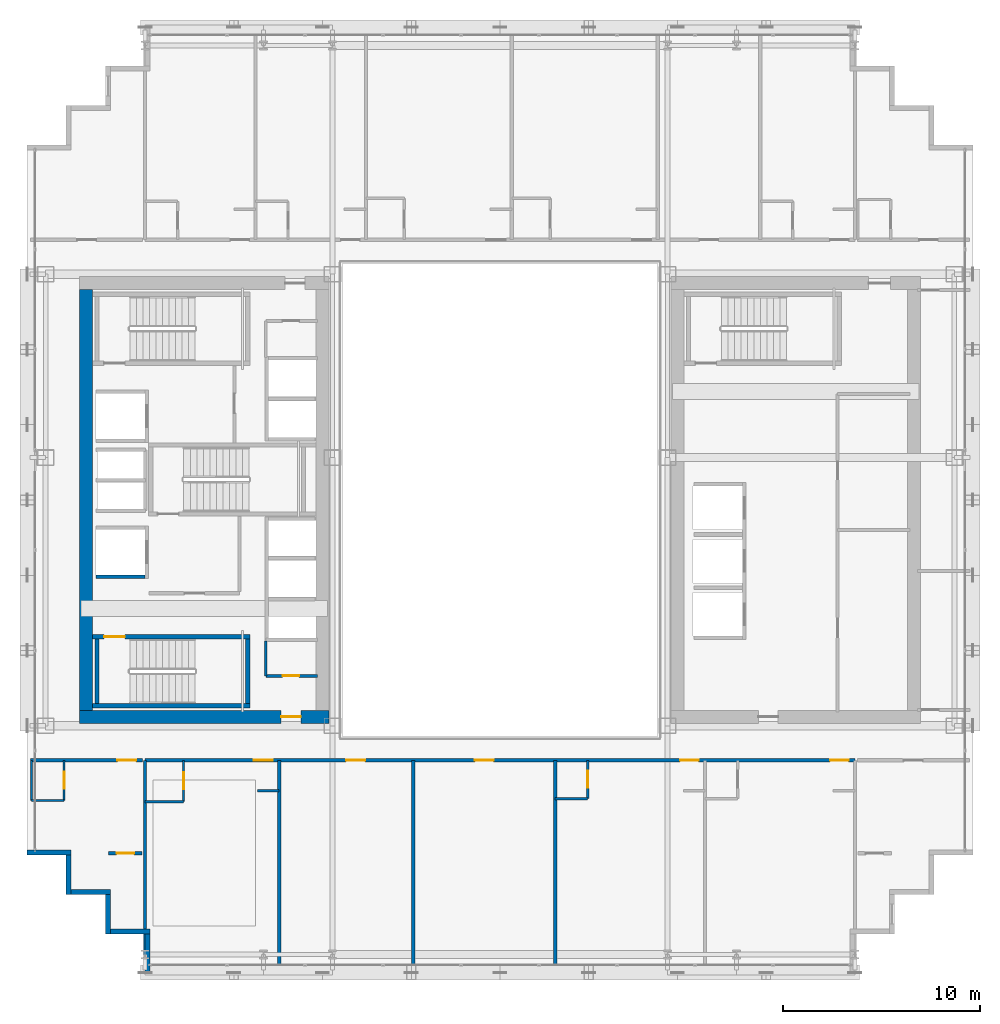
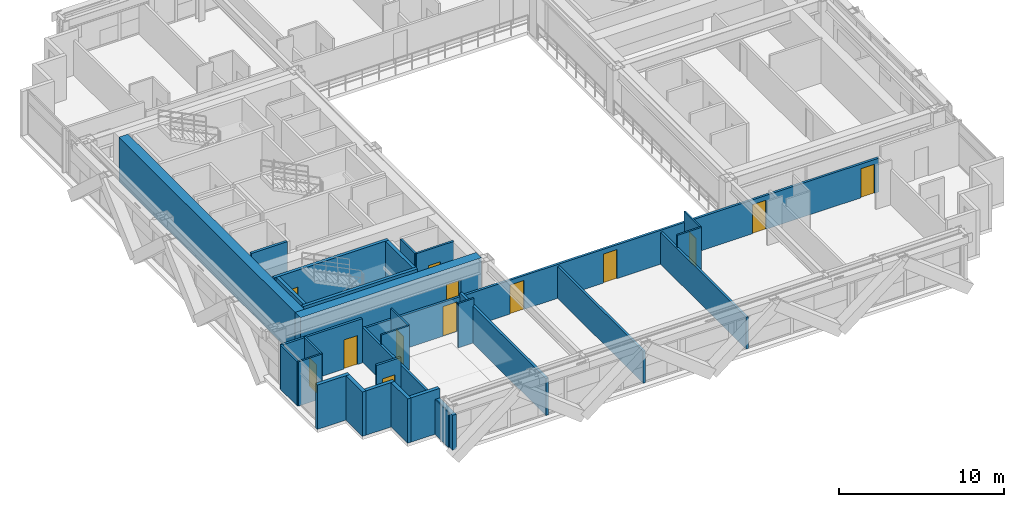
# One storey, part 28 of 36: 30 walls, 13 doors, 13 openings.
"""IFC4 building model written with IfcOpenShell, lengths in metres."""

from ifc_helpers import new_model, si_unit, direction, frame, frame_2d, origin, place, context, subcontext, project, spatial, rectangle, extrude, source, transform, mapped, material, layer, layer_set, type_object, element, fill, save


model = new_model("IFC4")

# Units and contexts
model_context = context("Model", 3, precision=1e-05, world=origin(), true_north=direction((0.0, 1.0)))
body_context = subcontext(model_context, "Body", "Model", "MODEL_VIEW")
ifc_project = project(units=[si_unit("LENGTHUNIT", "METRE"), si_unit("AREAUNIT", "SQUARE_METRE"), si_unit("VOLUMEUNIT", "CUBIC_METRE"), si_unit("PLANEANGLEUNIT", "RADIAN"), si_unit("MASSUNIT", "GRAM", prefix="KILO")], contexts=[model_context])

# Site, building, storey
site_placement = place(None, origin())
site = spatial("IfcSite", under=ifc_project, at=site_placement, CompositionType="ELEMENT")
building_placement = place(site_placement, origin())
building = spatial("IfcBuilding", under=site, at=building_placement, Name="Ocotamira Hotel", CompositionType="ELEMENT")
storey_placement = place(building_placement, frame((0.0, 0.0, 147.60009765625)))
storey = spatial("IfcBuildingStorey", under=building, at=storey_placement, Name="L37", CompositionType="ELEMENT", Elevation=147.60009765625)

# Wall, opening, door
ifc_material_1 = material(Name="Concrete C60/75", Category="concrete")
ifc_layer_1 = layer(ifc_material_1, 0.64990234375)
ifc_layer_set_1 = layer_set([ifc_layer_1], Name="Concrete C60/75")
wall_type_1 = type_object("IfcWallType", Name="WL-CORE-650", PredefinedType="SHEAR", material=ifc_layer_set_1)
wall_1_placement = place(storey_placement, frame((10.675048828125, 15.0, 0.0), z_axis=(0.0, 0.0, 1.0), x_axis=(1.0, 0.0, 0.0)))
wall_1 = element("IfcWall", 1, at=wall_1_placement, inside=storey, type_object=wall_type_1, Name="L37 Shear Core Wall WCORE-S", PredefinedType="SHEAR", context=body_context, shape_type="SweptSolid", body=[
    extrude(rectangle(XDim=12.64990234375, YDim=0.64990234375, at=frame_2d((6.324951171875, 0.0))), origin(), (0.0, 0.0, 1.0), 3.27978515625),
])
opening_1_placement = place(wall_1_placement, frame((10.22509765625, 0.0, 0.0)))
opening_1 = element("IfcOpeningElement", 2, at=opening_1_placement, cuts=wall_1, Name="Opening D-FR2", PredefinedType="OPENING", context=body_context, shape_type="SweptSolid", body=[
    extrude(rectangle(XDim=1.0, YDim=2.14990234375, at=frame_2d((0.5, 1.074951171875))), frame((0.0, 0.3349609375, 0.0), z_axis=(0.0, -1.0, 0.0), x_axis=(1.0, 0.0, 0.0)), (0.0, 0.0, 1.0), 0.669921875),
])
ifc_material_2 = material(Name="Fire-rated acoustic timber-veneer door", Category="wood")
door_type_1 = type_object("IfcDoorType", Name="DR-FIRE-1000", OperationType="NOTDEFINED", PredefinedType="DOOR", material=ifc_material_2)
shared_shape_1 = source(origin(), body_context, "Body", "SweptSolid", [
    extrude(rectangle(XDim=1.0, YDim=2.14990234375, at=frame_2d((0.5, 1.074951171875))), frame((0.0, 0.02490234375, 0.0), z_axis=(0.0, -1.0, 0.0), x_axis=(1.0, 0.0, 0.0)), (0.0, 0.0, 1.0), 0.050048828125),
])
door_1_placement = place(opening_1_placement, origin())
door_1 = element("IfcDoor", 3, at=door_1_placement, inside=storey, type_object=door_type_1, Name="L37 Door ID-L37-WLOB-S-D [ID-L37-WLOB-S-D]", OperationType="SINGLE_SWING_LEFT", OverallHeight=2.14990234375, OverallWidth=1.0, PredefinedType="DOOR", context=body_context, shape_type="MappedRepresentation", body=[
    mapped(shared_shape_1, transform((0.0, 0.0, 0.0), scale=1.0)),
])
fill(opening_1, door_1)

# Walls
wall_2_placement = place(storey_placement, frame((11.0, 15.324951171875, 0.0), z_axis=(0.0, 0.0, 1.0), x_axis=(0.0, 1.0, 0.0)))
element("IfcWall", 4, at=wall_2_placement, inside=storey, type_object=wall_type_1, Name="L37 Shear Core Wall WCORE-W", PredefinedType="SHEAR", context=body_context, shape_type="SweptSolid", body=[
    extrude(rectangle(XDim=21.35009765625, YDim=0.64990234375, at=frame_2d((10.675048828125, 0.0))), origin(), (0.0, 0.0, 1.0), 3.27978515625),
])
ifc_material_3 = material(Name="Precast concrete C45/55", Category="concrete")
ifc_layer_2 = layer(ifc_material_3, 0.25)
ifc_layer_set_2 = layer_set([ifc_layer_2], Name="Precast concrete C45/55")
wall_type_2 = type_object("IfcWallType", Name="WL-EXT-SER-250", PredefinedType="SOLIDWALL", material=ifc_layer_set_2)
wall_3_placement = place(storey_placement, frame((8.0, 8.125, 0.0), z_axis=(0.0, 0.0, 1.0), x_axis=(1.0, 0.0, 0.0)))
element("IfcWall", 5, at=wall_3_placement, inside=storey, type_object=wall_type_2, Name="L37 Serrated Corner Wall 19", PredefinedType="SOLIDWALL", context=body_context, shape_type="SweptSolid", body=[
    extrude(rectangle(XDim=2.25, YDim=0.25, at=frame_2d((1.125, 0.0))), origin(), (0.0, 0.0, 1.0), 3.27978515625),
])
for number, where, z_axis, x_axis, name in (
    (6, (10.125, 8.0, 0.0), (0.0, 0.0, 1.0), (0.0, -1.0, 0.0), "L37 Serrated Corner Wall 20"),
    (7, (10.25, 6.125, 0.0), (0.0, 0.0, 1.0), (1.0, 0.0, 0.0), "L37 Serrated Corner Wall 21"),
    (8, (12.125, 6.0, 0.0), (0.0, 0.0, 1.0), (0.0, -1.0, 0.0), "L37 Serrated Corner Wall 22"),
    (9, (12.25, 4.125, 0.0), (0.0, 0.0, 1.0), (1.0, 0.0, 0.0), "L37 Serrated Corner Wall 23"),
):
    element("IfcWall", number, at=place(storey_placement, frame(where, z_axis=z_axis, x_axis=x_axis)), inside=storey, type_object=wall_type_2, Name=name, PredefinedType="SOLIDWALL", context=body_context, shape_type="SweptSolid", body=[
        extrude(rectangle(XDim=2.0, YDim=0.25, at=frame_2d((1.0, 0.0))), origin(), (0.0, 0.0, 1.0), 3.27978515625),
    ])
wall_4_placement = place(storey_placement, frame((14.125, 4.0, 0.0), z_axis=(0.0, 0.0, 1.0), x_axis=(0.0, -1.0, 0.0)))
element("IfcWall", 10, at=wall_4_placement, inside=storey, type_object=wall_type_2, Name="L37 Serrated Corner Wall 24", PredefinedType="SOLIDWALL", context=body_context, shape_type="SweptSolid", body=[
    extrude(rectangle(XDim=2.0, YDim=0.25, at=frame_2d((1.0, 0.0))), origin(), (0.0, 0.0, 1.0), 2.5869140625),
])

# Wall, opening, door
ifc_material_4 = material(Name="Acoustic double-layer fire gypsum board partition", Category="gypsum")
ifc_layer_3 = layer(ifc_material_4, 0.159912109375)
ifc_layer_set_3 = layer_set([ifc_layer_3], Name="Acoustic double-layer fire gypsum board partition")
wall_type_3 = type_object("IfcWallType", Name="WL-FIRE-160", PredefinedType="PARTITIONING", material=ifc_layer_set_3)
wall_5_placement = place(storey_placement, frame((8.199951171875, 12.800048828125, 0.0), z_axis=(0.0, 0.0, 1.0), x_axis=(1.0, 0.0, 0.0)))
wall_5 = element("IfcWall", 11, at=wall_5_placement, inside=storey, type_object=wall_type_3, Name="L37 Interior Wall PW-L37-Z2E-CSW-CW", PredefinedType="PARTITIONING", context=body_context, shape_type="SweptSolid", body=[
    extrude(rectangle(XDim=5.679931640625, YDim=0.159912109375, at=frame_2d((2.83984375, 0.0))), origin(), (0.0, 0.0, 1.0), 3.27978515625),
])
opening_2_placement = place(wall_5_placement, frame((4.39990234375, 0.0, 0.0)))
opening_2 = element("IfcOpeningElement", 12, at=opening_2_placement, cuts=wall_5, Name="Opening D-GR1", PredefinedType="OPENING", context=body_context, shape_type="SweptSolid", body=[
    extrude(rectangle(XDim=0.93994140625, YDim=2.14990234375, at=frame_2d((0.469970703125, 1.074951171875))), frame((0.0, 0.08984375, 0.0), z_axis=(0.0, -1.0, 0.0), x_axis=(1.0, 0.0, 0.0)), (0.0, 0.0, 1.0), 0.179931640625),
])
ifc_material_5 = material(Name="Solid-core walnut suite entrance fire door", Category="wood")
door_type_2 = type_object("IfcDoorType", Name="DR-GUEST-940", OperationType="NOTDEFINED", PredefinedType="DOOR", material=ifc_material_5)
shared_shape_2 = source(origin(), body_context, "Body", "SweptSolid", [
    extrude(rectangle(XDim=0.93994140625, YDim=2.14990234375, at=frame_2d((0.469970703125, 1.074951171875))), frame((0.0, 0.02490234375, 0.0), z_axis=(0.0, -1.0, 0.0), x_axis=(1.0, 0.0, 0.0)), (0.0, 0.0, 1.0), 0.050048828125),
])
door_2_placement = place(opening_2_placement, origin())
door_2 = element("IfcDoor", 13, at=door_2_placement, inside=storey, type_object=door_type_2, Name="L37 Door ID-L37-Z2E-CSW-CD [ID-L37-Z2E-CSW-CD]", OperationType="SINGLE_SWING_RIGHT", OverallHeight=2.14990234375, OverallWidth=0.93994140625, PredefinedType="DOOR", context=body_context, shape_type="MappedRepresentation", body=[
    mapped(shared_shape_2, transform((0.0, 0.0, 0.0), scale=1.0)),
])
fill(opening_2, door_2)

wall_6_placement = place(storey_placement, frame((12.14990234375, 8.080078125, 0.0), z_axis=(0.0, 0.0, 1.0), x_axis=(1.0, 0.0, 0.0)))
wall_6 = element("IfcWall", 14, at=wall_6_placement, inside=storey, type_object=wall_type_3, Name="L37 Interior Wall PW-L37-Z2E-CSW2-CW", PredefinedType="PARTITIONING", context=body_context, shape_type="SweptSolid", body=[
    extrude(rectangle(XDim=1.7001953125, YDim=0.159912109375, at=frame_2d((0.85009765625, 0.0))), origin(), (0.0, 0.0, 1.0), 3.27978515625),
])
opening_3_placement = place(wall_6_placement, frame((0.409912109375, 0.0, 0.0)))
opening_3 = element("IfcOpeningElement", 15, at=opening_3_placement, cuts=wall_6, Name="Opening D-SV2", PredefinedType="OPENING", context=body_context, shape_type="SweptSolid", body=[
    extrude(rectangle(XDim=0.8798828125, YDim=2.14990234375, at=frame_2d((0.43994140625, 1.074951171875))), frame((0.0, 0.08984375, 0.0), z_axis=(0.0, -1.0, 0.0), x_axis=(1.0, 0.0, 0.0)), (0.0, 0.0, 1.0), 0.179931640625),
])
ifc_material_6 = material(Name="Fire-rated painted steel service door", Category="steel")
door_type_3 = type_object("IfcDoorType", Name="DR-SERV-880", OperationType="NOTDEFINED", PredefinedType="DOOR", material=ifc_material_6)
shared_shape_3 = source(origin(), body_context, "Body", "SweptSolid", [
    extrude(rectangle(XDim=0.8798828125, YDim=2.14990234375, at=frame_2d((0.43994140625, 1.074951171875))), frame((0.0, 0.02490234375, 0.0), z_axis=(0.0, -1.0, 0.0), x_axis=(1.0, 0.0, 0.0)), (0.0, 0.0, 1.0), 0.050048828125),
])
door_3_placement = place(opening_3_placement, origin())
door_3 = element("IfcDoor", 16, at=door_3_placement, inside=storey, type_object=door_type_3, Name="L37 Door ID-L37-Z2E-CSW2-CD [ID-L37-Z2E-CSW2-CD]", OperationType="SINGLE_SWING_LEFT", OverallHeight=2.14990234375, OverallWidth=0.8798828125, PredefinedType="DOOR", context=body_context, shape_type="MappedRepresentation", body=[
    mapped(shared_shape_3, transform((0.0, 0.0, 0.0), scale=1.0)),
])
fill(opening_3, door_3)

# Wall, openings, doors
wall_7_placement = place(storey_placement, frame((14.0, 12.800048828125, 0.0), z_axis=(0.0, 0.0, 1.0), x_axis=(1.0, 0.0, 0.0)))
wall_7 = element("IfcWall", 17, at=wall_7_placement, inside=storey, type_object=wall_type_3, Name="L37 Interior Wall PW-L37-Z2ES-CORRW", PredefinedType="PARTITIONING", context=body_context, shape_type="SweptSolid", body=[
    extrude(rectangle(XDim=36.0, YDim=0.159912109375, at=frame_2d((18.0, 0.0))), origin(), (0.0, 0.0, 1.0), 2.5009765625),
])
opening_4_placement = place(wall_7_placement, frame((5.5, 0.0, 0.0)))
opening_4 = element("IfcOpeningElement", 18, at=opening_4_placement, cuts=wall_7, Name="Opening D-GR2", PredefinedType="OPENING", context=body_context, shape_type="SweptSolid", body=[
    extrude(rectangle(XDim=0.97998046875, YDim=2.199951171875, at=frame_2d((0.489990234375, 1.10009765625))), frame((0.0, 0.08984375, 0.0), z_axis=(0.0, -1.0, 0.0), x_axis=(1.0, 0.0, 0.0)), (0.0, 0.0, 1.0), 0.179931640625),
])
opening_5_placement = place(wall_7_placement, frame((10.199951171875, 0.0, 0.0)))
opening_5 = element("IfcOpeningElement", 19, at=opening_5_placement, cuts=wall_7, Name="Opening D-SV4", PredefinedType="OPENING", context=body_context, shape_type="SweptSolid", body=[
    extrude(rectangle(XDim=0.9599609375, YDim=2.14990234375, at=frame_2d((0.47998046875, 1.074951171875))), frame((0.0, 0.08984375, 0.0), z_axis=(0.0, -1.0, 0.0), x_axis=(1.0, 0.0, 0.0)), (0.0, 0.0, 1.0), 0.179931640625),
])
opening_6_placement = place(wall_7_placement, frame((16.719970703125, 0.0, 0.0)))
opening_6 = element("IfcOpeningElement", 20, at=opening_6_placement, cuts=wall_7, Name="Opening D-SV4", PredefinedType="OPENING", context=body_context, shape_type="SweptSolid", body=[
    extrude(rectangle(XDim=0.9599609375, YDim=2.14990234375, at=frame_2d((0.47998046875, 1.074951171875))), frame((0.0, 0.08984375, 0.0), z_axis=(0.0, -1.0, 0.0), x_axis=(1.0, 0.0, 0.0)), (0.0, 0.0, 1.0), 0.179931640625),
])
opening_7_placement = place(wall_7_placement, frame((27.139892578125, 0.0, 0.0)))
opening_7 = element("IfcOpeningElement", 21, at=opening_7_placement, cuts=wall_7, Name="Opening D-GR1", PredefinedType="OPENING", context=body_context, shape_type="SweptSolid", body=[
    extrude(rectangle(XDim=0.93994140625, YDim=2.14990234375, at=frame_2d((0.469970703125, 1.074951171875))), frame((0.0, 0.08984375, 0.0), z_axis=(0.0, -1.0, 0.0), x_axis=(1.0, 0.0, 0.0)), (0.0, 0.0, 1.0), 0.179931640625),
])
opening_8_placement = place(wall_7_placement, frame((34.739990234375, 0.0, 0.0)))
opening_8 = element("IfcOpeningElement", 22, at=opening_8_placement, cuts=wall_7, Name="Opening D-GR1", PredefinedType="OPENING", context=body_context, shape_type="SweptSolid", body=[
    extrude(rectangle(XDim=0.93994140625, YDim=2.14990234375, at=frame_2d((0.469970703125, 1.074951171875))), frame((0.0, 0.08984375, 0.0), z_axis=(0.0, -1.0, 0.0), x_axis=(1.0, 0.0, 0.0)), (0.0, 0.0, 1.0), 0.179931640625),
])
ifc_material_7 = material(Name="Fire-rated accessible walnut salon door", Category="wood")
door_type_4 = type_object("IfcDoorType", Name="DR-SERV-960", OperationType="NOTDEFINED", PredefinedType="DOOR", material=ifc_material_7)
shared_shape_4 = source(origin(), body_context, "Body", "SweptSolid", [
    extrude(rectangle(XDim=0.9599609375, YDim=2.14990234375, at=frame_2d((0.47998046875, 1.074951171875))), frame((0.0, 0.02490234375, 0.0), z_axis=(0.0, -1.0, 0.0), x_axis=(1.0, 0.0, 0.0)), (0.0, 0.0, 1.0), 0.050048828125),
])
door_4_placement = place(opening_5_placement, origin())
door_4 = element("IfcDoor", 23, at=door_4_placement, inside=storey, type_object=door_type_4, Name="L37 Door ID-L37-Z2ES-AMD2 [ID-L37-Z2ES-AMD2]", OperationType="SINGLE_SWING_RIGHT", OverallHeight=2.14990234375, OverallWidth=0.9599609375, PredefinedType="DOOR", context=body_context, shape_type="MappedRepresentation", body=[
    mapped(shared_shape_4, transform((0.0, 0.0, 0.0), scale=1.0)),
])
fill(opening_5, door_4)
door_5_placement = place(opening_6_placement, origin())
door_5 = element("IfcDoor", 24, at=door_5_placement, inside=storey, type_object=door_type_4, Name="L37 Door ID-L37-Z2ES-AMD3 [ID-L37-Z2ES-AMD3]", OperationType="SINGLE_SWING_LEFT", OverallHeight=2.14990234375, OverallWidth=0.9599609375, PredefinedType="DOOR", context=body_context, shape_type="MappedRepresentation", body=[
    mapped(shared_shape_4, transform((0.0, 0.0, 0.0), scale=1.0)),
])
fill(opening_6, door_5)
door_6_placement = place(opening_7_placement, origin())
door_6 = element("IfcDoor", 25, at=door_6_placement, inside=storey, type_object=door_type_2, Name="L37 Door ID-L37-Z2ES-RMD4 [ID-L37-Z2ES-RMD4]", OperationType="SINGLE_SWING_RIGHT", OverallHeight=2.14990234375, OverallWidth=0.93994140625, PredefinedType="DOOR", context=body_context, shape_type="MappedRepresentation", body=[
    mapped(shared_shape_2, transform((0.0, 0.0, 0.0), scale=1.0)),
])
fill(opening_7, door_6)
door_7_placement = place(opening_8_placement, origin())
door_7 = element("IfcDoor", 26, at=door_7_placement, inside=storey, type_object=door_type_2, Name="L37 Door ID-L37-Z2ES-RMD5 [ID-L37-Z2ES-RMD5]", OperationType="SINGLE_SWING_LEFT", OverallHeight=2.14990234375, OverallWidth=0.93994140625, PredefinedType="DOOR", context=body_context, shape_type="MappedRepresentation", body=[
    mapped(shared_shape_2, transform((0.0, 0.0, 0.0), scale=1.0)),
])
fill(opening_8, door_7)
ifc_material_8 = material(Name="Solid-core walnut grand-suite entrance fire door", Category="wood")
door_type_5 = type_object("IfcDoorType", Name="DR-GUEST-980", OperationType="NOTDEFINED", PredefinedType="DOOR", material=ifc_material_8)
shared_shape_5 = source(origin(), body_context, "Body", "SweptSolid", [
    extrude(rectangle(XDim=0.97998046875, YDim=2.199951171875, at=frame_2d((0.489990234375, 1.10009765625))), frame((0.0, 0.02490234375, 0.0), z_axis=(0.0, -1.0, 0.0), x_axis=(1.0, 0.0, 0.0)), (0.0, 0.0, 1.0), 0.050048828125),
])
door_8_placement = place(opening_4_placement, origin())
door_8 = element("IfcDoor", 27, at=door_8_placement, inside=storey, type_object=door_type_5, Name="L37 Door ID-L37-Z2ES-RMD1 [ID-L37-Z2ES-RMD1]", OperationType="SINGLE_SWING_LEFT", OverallHeight=2.199951171875, OverallWidth=0.97998046875, PredefinedType="DOOR", context=body_context, shape_type="MappedRepresentation", body=[
    mapped(shared_shape_5, transform((0.0, 0.0, 0.0), scale=1.0)),
])
fill(opening_4, door_8)

# Wall, opening, door
ifc_material_9 = material(Name="Moisture-resistant en-suite tile and gypsum partition", Category="gypsum")
ifc_layer_4 = layer(ifc_material_9, 0.1201171875)
ifc_layer_set_4 = layer_set([ifc_layer_4], Name="Moisture-resistant en-suite tile and gypsum partition")
wall_type_4 = type_object("IfcWallType", Name="WL-PART-120", PredefinedType="PARTITIONING", material=ifc_layer_set_4)
wall_8_placement = place(storey_placement, frame((9.889892578125, 10.760009765625, 0.0), z_axis=(0.0, 0.0, 1.0), x_axis=(0.0, 1.0, 0.0)))
wall_8 = element("IfcWall", 28, at=wall_8_placement, inside=storey, type_object=wall_type_4, Name="L37 Interior Wall PW-L37-Z2E-CSW-BE", PredefinedType="PARTITIONING", context=body_context, shape_type="SweptSolid", body=[
    extrude(rectangle(XDim=2.0400390625, YDim=0.1201171875, at=frame_2d((1.02001953125, 0.0))), origin(), (0.0, 0.0, 1.0), 3.27978515625),
])
opening_9_placement = place(wall_8_placement, frame((0.590087890625, 0.0, 0.0)))
opening_9 = element("IfcOpeningElement", 29, at=opening_9_placement, cuts=wall_8, Name="Opening D-BA1", PredefinedType="OPENING", context=body_context, shape_type="SweptSolid", body=[
    extrude(rectangle(XDim=0.860107421875, YDim=2.10009765625, at=frame_2d((0.43017578125, 1.050048828125))), frame((0.0, 0.070068359375, 0.0), z_axis=(0.0, -1.0, 0.0), x_axis=(1.0, 0.0, 0.0)), (0.0, 0.0, 1.0), 0.14013671875),
])
ifc_material_10 = material(Name="Moisture-sealed en-suite timber door", Category="wood")
door_type_6 = type_object("IfcDoorType", Name="DR-BATH-860", OperationType="NOTDEFINED", PredefinedType="DOOR", material=ifc_material_10)
shared_shape_6 = source(origin(), body_context, "Body", "SweptSolid", [
    extrude(rectangle(XDim=0.860107421875, YDim=2.10009765625, at=frame_2d((0.43017578125, 1.050048828125))), frame((0.0, 0.02490234375, 0.0), z_axis=(0.0, -1.0, 0.0), x_axis=(1.0, 0.0, 0.0)), (0.0, 0.0, 1.0), 0.050048828125),
])
door_9_placement = place(opening_9_placement, origin())
door_9 = element("IfcDoor", 30, at=door_9_placement, inside=storey, type_object=door_type_6, Name="L37 Door ID-L37-Z2E-CSW-BD [ID-L37-Z2E-CSW-BD]", OperationType="SINGLE_SWING_LEFT", OverallHeight=2.10009765625, OverallWidth=0.860107421875, PredefinedType="DOOR", context=body_context, shape_type="MappedRepresentation", body=[
    mapped(shared_shape_6, transform((0.0, 0.0, 0.0), scale=1.0)),
])
fill(opening_9, door_9)

# Walls
wall_9_placement = place(storey_placement, frame((8.239990234375, 10.760009765625, 0.0), z_axis=(0.0, 0.0, 1.0), x_axis=(0.0, 1.0, 0.0)))
element("IfcWall", 31, at=wall_9_placement, inside=storey, type_object=wall_type_4, Name="L37 Interior Wall PW-L37-Z2E-CSW-BW", PredefinedType="PARTITIONING", context=body_context, shape_type="SweptSolid", body=[
    extrude(rectangle(XDim=2.0400390625, YDim=0.1201171875, at=frame_2d((1.02001953125, 0.0))), origin(), (0.0, 0.0, 1.0), 3.27978515625),
])
wall_10_placement = place(storey_placement, frame((8.239990234375, 10.760009765625, 0.0), z_axis=(0.0, 0.0, 1.0), x_axis=(1.0, 0.0, 0.0)))
element("IfcWall", 32, at=wall_10_placement, inside=storey, type_object=wall_type_4, Name="L37 Interior Wall PW-L37-Z2E-CSW-BH", PredefinedType="PARTITIONING", context=body_context, shape_type="SweptSolid", body=[
    extrude(rectangle(XDim=1.64990234375, YDim=0.1201171875, at=frame_2d((0.824951171875, 0.0))), origin(), (0.0, 0.0, 1.0), 3.27978515625),
])

# Wall, opening, door
wall_11_placement = place(storey_placement, frame((15.949951171875, 10.699951171875, 0.0), z_axis=(0.0, 0.0, 1.0), x_axis=(0.0, 1.0, 0.0)))
wall_11 = element("IfcWall", 33, at=wall_11_placement, inside=storey, type_object=wall_type_4, Name="L37 Interior Wall PW-L37-Z2ES-BAE1", PredefinedType="PARTITIONING", context=body_context, shape_type="SweptSolid", body=[
    extrude(rectangle(XDim=2.10009765625, YDim=0.1201171875, at=frame_2d((1.050048828125, 0.0))), origin(), (0.0, 0.0, 1.0), 3.27978515625),
])
opening_10_placement = place(wall_11_placement, frame((0.6201171875, 0.0, 0.0)))
opening_10 = element("IfcOpeningElement", 34, at=opening_10_placement, cuts=wall_11, Name="Opening D-BA1", PredefinedType="OPENING", context=body_context, shape_type="SweptSolid", body=[
    extrude(rectangle(XDim=0.860107421875, YDim=2.10009765625, at=frame_2d((0.43017578125, 1.050048828125))), frame((0.0, 0.070068359375, 0.0), z_axis=(0.0, -1.0, 0.0), x_axis=(1.0, 0.0, 0.0)), (0.0, 0.0, 1.0), 0.14013671875),
])
door_10_placement = place(opening_10_placement, origin())
door_10 = element("IfcDoor", 35, at=door_10_placement, inside=storey, type_object=door_type_6, Name="L37 Door ID-L37-Z2ES-BAD1 [ID-L37-Z2ES-BAD1]", OperationType="SINGLE_SWING_RIGHT", OverallHeight=2.10009765625, OverallWidth=0.860107421875, PredefinedType="DOOR", context=body_context, shape_type="MappedRepresentation", body=[
    mapped(shared_shape_6, transform((0.0, 0.0, 0.0), scale=1.0)),
])
fill(opening_10, door_10)

# Walls
wall_12_placement = place(storey_placement, frame((14.0, 10.699951171875, 0.0), z_axis=(0.0, 0.0, 1.0), x_axis=(1.0, 0.0, 0.0)))
element("IfcWall", 36, at=wall_12_placement, inside=storey, type_object=wall_type_4, Name="L37 Interior Wall PW-L37-Z2ES-BAS1", PredefinedType="PARTITIONING", context=body_context, shape_type="SweptSolid", body=[
    extrude(rectangle(XDim=1.949951171875, YDim=0.1201171875, at=frame_2d((0.97509765625, 0.0))), origin(), (0.0, 0.0, 1.0), 3.27978515625),
])
wall_13_placement = place(storey_placement, frame((19.699951171875, 11.25, 0.0), z_axis=(0.0, 0.0, 1.0), x_axis=(1.0, 0.0, 0.0)))
element("IfcWall", 37, at=wall_13_placement, inside=storey, type_object=wall_type_4, Name="L37 Interior Wall PW-L37-Z2ES-DRN1", PredefinedType="PARTITIONING", context=body_context, shape_type="SweptSolid", body=[
    extrude(rectangle(XDim=1.10009765625, YDim=0.1201171875, at=frame_2d((0.550048828125, 0.0))), origin(), (0.0, 0.0, 1.0), 3.27978515625),
])

# Wall, opening, door
wall_14_placement = place(storey_placement, frame((36.449951171875, 10.85009765625, 0.0), z_axis=(0.0, 0.0, 1.0), x_axis=(0.0, 1.0, 0.0)))
wall_14 = element("IfcWall", 38, at=wall_14_placement, inside=storey, type_object=wall_type_4, Name="L37 Interior Wall PW-L37-Z2ES-BAE4", PredefinedType="PARTITIONING", context=body_context, shape_type="SweptSolid", body=[
    extrude(rectangle(XDim=1.949951171875, YDim=0.1201171875, at=frame_2d((0.97509765625, 0.0))), origin(), (0.0, 0.0, 1.0), 3.27978515625),
])
opening_11_placement = place(wall_14_placement, frame((0.544921875, 0.0, 0.0)))
opening_11 = element("IfcOpeningElement", 39, at=opening_11_placement, cuts=wall_14, Name="Opening D-BA1", PredefinedType="OPENING", context=body_context, shape_type="SweptSolid", body=[
    extrude(rectangle(XDim=0.860107421875, YDim=2.10009765625, at=frame_2d((0.43017578125, 1.050048828125))), frame((0.0, 0.070068359375, 0.0), z_axis=(0.0, -1.0, 0.0), x_axis=(1.0, 0.0, 0.0)), (0.0, 0.0, 1.0), 0.14013671875),
])
door_11_placement = place(opening_11_placement, origin())
door_11 = element("IfcDoor", 40, at=door_11_placement, inside=storey, type_object=door_type_6, Name="L37 Door ID-L37-Z2ES-BAD4 [ID-L37-Z2ES-BAD4]", OperationType="SINGLE_SWING_LEFT", OverallHeight=2.10009765625, OverallWidth=0.860107421875, PredefinedType="DOOR", context=body_context, shape_type="MappedRepresentation", body=[
    mapped(shared_shape_6, transform((0.0, 0.0, 0.0), scale=1.0)),
])
fill(opening_11, door_11)

# Walls
wall_15_placement = place(storey_placement, frame((34.800048828125, 10.85009765625, 0.0), z_axis=(0.0, 0.0, 1.0), x_axis=(1.0, 0.0, 0.0)))
element("IfcWall", 41, at=wall_15_placement, inside=storey, type_object=wall_type_4, Name="L37 Interior Wall PW-L37-Z2ES-BAS4", PredefinedType="PARTITIONING", context=body_context, shape_type="SweptSolid", body=[
    extrude(rectangle(XDim=1.64990234375, YDim=0.1201171875, at=frame_2d((0.824951171875, 0.0))), origin(), (0.0, 0.0, 1.0), 3.27978515625),
])
ifc_material_11 = material(Name="Acoustic hospitality gypsum board partition", Category="gypsum")
ifc_layer_5 = layer(ifc_material_11, 0.14208984375)
ifc_layer_set_5 = layer_set([ifc_layer_5], Name="Acoustic hospitality gypsum board partition")
wall_type_5 = type_object("IfcWallType", Name="WL-PART-142", PredefinedType="PARTITIONING", material=ifc_layer_set_5)
wall_16_placement = place(storey_placement, frame((20.1201171875, 17.080078125, 0.0), z_axis=(0.0, 0.0, 1.0), x_axis=(0.0, 1.0, 0.0)))
element("IfcWall", 42, at=wall_16_placement, inside=storey, type_object=wall_type_5, Name="L37 Interior Wall PW-L37-WC-SE-W2", PredefinedType="PARTITIONING", context=body_context, shape_type="SweptSolid", body=[
    extrude(rectangle(XDim=1.760009765625, YDim=0.14208984375, at=frame_2d((0.8798828125, 0.0))), origin(), (0.0, 0.0, 1.0), 3.27978515625),
])

# Wall, opening, door
wall_17_placement = place(storey_placement, frame((20.1201171875, 17.080078125, 0.0), z_axis=(0.0, 0.0, 1.0), x_axis=(1.0, 0.0, 0.0)))
wall_17 = element("IfcWall", 43, at=wall_17_placement, inside=storey, type_object=wall_type_5, Name="L37 Interior Wall PW-L37-WC-SE-S2", PredefinedType="PARTITIONING", context=body_context, shape_type="SweptSolid", body=[
    extrude(rectangle(XDim=2.6298828125, YDim=0.14208984375, at=frame_2d((1.31494140625, 0.0))), origin(), (0.0, 0.0, 1.0), 3.27978515625),
])
opening_12_placement = place(wall_17_placement, frame((0.85009765625, 0.0, 0.0)))
opening_12 = element("IfcOpeningElement", 44, at=opening_12_placement, cuts=wall_17, Name="Opening D-SV1", PredefinedType="OPENING", context=body_context, shape_type="SweptSolid", body=[
    extrude(rectangle(XDim=0.840087890625, YDim=2.10009765625, at=frame_2d((0.419921875, 1.050048828125))), frame((0.0, 0.0810546875, 0.0), z_axis=(0.0, -1.0, 0.0), x_axis=(1.0, 0.0, 0.0)), (0.0, 0.0, 1.0), 0.162109375),
])
door_type_7 = type_object("IfcDoorType", Name="DR-SERV-840", OperationType="NOTDEFINED", PredefinedType="DOOR", material=ifc_material_6)
shared_shape_7 = source(origin(), body_context, "Body", "SweptSolid", [
    extrude(rectangle(XDim=0.840087890625, YDim=2.10009765625, at=frame_2d((0.419921875, 1.050048828125))), frame((0.0, 0.02490234375, 0.0), z_axis=(0.0, -1.0, 0.0), x_axis=(1.0, 0.0, 0.0)), (0.0, 0.0, 1.0), 0.050048828125),
])
door_12_placement = place(opening_12_placement, origin())
door_12 = element("IfcDoor", 45, at=door_12_placement, inside=storey, type_object=door_type_7, Name="L37 Door ID-L37-WC-SE-D2 [ID-L37-WC-SE-D2]", OperationType="SINGLE_SWING_LEFT", OverallHeight=2.10009765625, OverallWidth=0.840087890625, PredefinedType="DOOR", context=body_context, shape_type="MappedRepresentation", body=[
    mapped(shared_shape_7, transform((0.0, 0.0, 0.0), scale=1.0)),
])
fill(opening_12, door_12)

# Walls
ifc_material_12 = material(Name="Acoustic double-stud hospitality gypsum partition", Category="gypsum")
ifc_layer_6 = layer(ifc_material_12, 0.159912109375)
ifc_layer_set_6 = layer_set([ifc_layer_6], Name="Acoustic double-stud hospitality gypsum partition")
wall_type_6 = type_object("IfcWallType", Name="WL-PART-160", PredefinedType="PARTITIONING", material=ifc_layer_set_6)
wall_18_placement = place(storey_placement, frame((14.0, 2.360107421875, 0.0), z_axis=(0.0, 0.0, 1.0), x_axis=(0.0, 1.0, 0.0)))
element("IfcWall", 46, at=wall_18_placement, inside=storey, type_object=wall_type_6, Name="L37 Interior Wall PW-L37-Z2ES-PW0", PredefinedType="PARTITIONING", context=body_context, shape_type="SweptSolid", body=[
    extrude(rectangle(XDim=10.43994140625, YDim=0.159912109375, at=frame_2d((5.219970703125, 0.0))), origin(), (0.0, 0.0, 1.0), 2.5869140625),
])
for number, where, z_axis, x_axis, name in (
    (47, (27.60009765625, 2.360107421875, 0.0), (0.0, 0.0, 1.0), (0.0, 1.0, 0.0), "L37 Interior Wall PW-L37-Z2ES-PW2"),
    (48, (34.800048828125, 2.360107421875, 0.0), (0.0, 0.0, 1.0), (0.0, 1.0, 0.0), "L37 Interior Wall PW-L37-Z2ES-PW3"),
):
    element("IfcWall", number, at=place(storey_placement, frame(where, z_axis=z_axis, x_axis=x_axis)), inside=storey, type_object=wall_type_6, Name=name, PredefinedType="PARTITIONING", context=body_context, shape_type="SweptSolid", body=[
        extrude(rectangle(XDim=10.43994140625, YDim=0.159912109375, at=frame_2d((5.219970703125, 0.0))), origin(), (0.0, 0.0, 1.0), 2.35986328125),
    ])
ifc_material_13 = material(Name="Double-stud suite party gypsum partition", Category="gypsum")
ifc_layer_7 = layer(ifc_material_13, 0.175048828125)
ifc_layer_set_7 = layer_set([ifc_layer_7], Name="Double-stud suite party gypsum partition")
wall_type_7 = type_object("IfcWallType", Name="WL-PART-175", PredefinedType="PARTITIONING", material=ifc_layer_set_7)
wall_19_placement = place(storey_placement, frame((20.800048828125, 2.360107421875, 0.0), z_axis=(0.0, 0.0, 1.0), x_axis=(0.0, 1.0, 0.0)))
element("IfcWall", 49, at=wall_19_placement, inside=storey, type_object=wall_type_7, Name="L37 Interior Wall PW-L37-Z2ES-PW1", PredefinedType="PARTITIONING", context=body_context, shape_type="SweptSolid", body=[
    extrude(rectangle(XDim=10.43994140625, YDim=0.175048828125, at=frame_2d((5.219970703125, 0.0))), origin(), (0.0, 0.0, 1.0), 2.742919921875),
])
ifc_material_14 = material(Name="Fire-rated gypsum shaftliner board assembly", Category="gypsum")
ifc_layer_8 = layer(ifc_material_14, 0.179931640625)
ifc_layer_set_8 = layer_set([ifc_layer_8], Name="Fire-rated gypsum shaftliner board assembly")
wall_type_8 = type_object("IfcWallType", Name="WL-SHAFT-180", PredefinedType="SOLIDWALL", material=ifc_layer_set_8)
wall_20_placement = place(storey_placement, frame((11.5, 22.110107421875, 0.0), z_axis=(0.0, 0.0, 1.0), x_axis=(1.0, 0.0, 0.0)))
element("IfcWall", 50, at=wall_20_placement, inside=storey, type_object=wall_type_8, Name="L37 Interior Wall PW-L37-LFW-LF-FSAE1-S", PredefinedType="SOLIDWALL", context=body_context, shape_type="SweptSolid", body=[
    extrude(rectangle(XDim=2.5, YDim=0.179931640625, at=frame_2d((1.25, 0.0))), origin(), (0.0, 0.0, 1.0), 3.27978515625),
])
ifc_material_15 = material(Name="Concrete C50/60", Category="concrete")
ifc_layer_9 = layer(ifc_material_15, 0.219970703125)
ifc_layer_set_9 = layer_set([ifc_layer_9], Name="Concrete C50/60")
wall_type_9 = type_object("IfcWallType", Name="WL-STAIR-220", PredefinedType="SHEAR", material=ifc_layer_set_9)
wall_21_placement = place(storey_placement, frame((11.324951171875, 15.56005859375, 0.0), z_axis=(0.0, 0.0, 1.0), x_axis=(1.0, 0.0, 0.0)))
element("IfcWall", 51, at=wall_21_placement, inside=storey, type_object=wall_type_9, Name="L37 Stair Shaft Structural Wall ST-1-S", PredefinedType="SHEAR", context=body_context, shape_type="SweptSolid", body=[
    extrude(rectangle(XDim=7.985107421875, YDim=0.219970703125, at=frame_2d((3.99267578125, 0.0))), origin(), (0.0, 0.0, 1.0), 3.39990234375),
])

# Wall, opening, door
wall_22_placement = place(storey_placement, frame((11.324951171875, 19.06005859375, 0.0), z_axis=(0.0, 0.0, 1.0), x_axis=(1.0, 0.0, 0.0)))
wall_22 = element("IfcWall", 52, at=wall_22_placement, inside=storey, type_object=wall_type_9, Name="L37 Stair Shaft Structural Wall ST-1-N", PredefinedType="SHEAR", context=body_context, shape_type="SweptSolid", body=[
    extrude(rectangle(XDim=7.985107421875, YDim=0.219970703125, at=frame_2d((3.99267578125, 0.0))), origin(), (0.0, 0.0, 1.0), 3.39990234375),
])
opening_13_placement = place(wall_22_placement, frame((0.594970703125, 0.0, 0.0)))
opening_13 = element("IfcOpeningElement", 53, at=opening_13_placement, cuts=wall_22, Name="Opening D-ST2", PredefinedType="OPENING", context=body_context, shape_type="SweptSolid", body=[
    extrude(rectangle(XDim=1.050048828125, YDim=2.14990234375, at=frame_2d((0.52490234375, 1.074951171875))), frame((0.0, 0.1201171875, 0.0), z_axis=(0.0, -1.0, 0.0), x_axis=(1.0, 0.0, 0.0)), (0.0, 0.0, 1.0), 0.239990234375),
])
ifc_material_16 = material(Name="Insulated painted hollow-metal fire exit door", Category="steel")
door_type_8 = type_object("IfcDoorType", Name="DR-STAIR-1050", OperationType="NOTDEFINED", PredefinedType="DOOR", material=ifc_material_16)
shared_shape_8 = source(origin(), body_context, "Body", "SweptSolid", [
    extrude(rectangle(XDim=1.050048828125, YDim=2.14990234375, at=frame_2d((0.52490234375, 1.074951171875))), frame((0.0, 0.02490234375, 0.0), z_axis=(0.0, -1.0, 0.0), x_axis=(1.0, 0.0, 0.0)), (0.0, 0.0, 1.0), 0.050048828125),
])
door_13_placement = place(opening_13_placement, origin())
door_13 = element("IfcDoor", 54, at=door_13_placement, inside=storey, type_object=door_type_8, Name="L37 Door ID-L37-STD-ST-1 [ID-L37-STD-ST-1]", OperationType="SINGLE_SWING_RIGHT", OverallHeight=2.14990234375, OverallWidth=1.050048828125, PredefinedType="DOOR", context=body_context, shape_type="MappedRepresentation", body=[
    mapped(shared_shape_8, transform((0.0, 0.0, 0.0), scale=1.0)),
])
fill(opening_13, door_13)

# Walls
for number, where, z_axis, x_axis, name in (
    (55, (11.56005859375, 15.669921875, 0.0), (0.0, 0.0, 1.0), (0.0, 1.0, 0.0), "L37 Stair Shaft Structural Wall ST-1-W"),
    (56, (19.199951171875, 15.669921875, 0.0), (0.0, 0.0, 1.0), (0.0, 1.0, 0.0), "L37 Stair Shaft Structural Wall ST-1-E"),
):
    element("IfcWall", number, at=place(storey_placement, frame(where, z_axis=z_axis, x_axis=x_axis)), inside=storey, type_object=wall_type_9, Name=name, PredefinedType="SHEAR", context=body_context, shape_type="SweptSolid", body=[
        extrude(rectangle(XDim=3.280029296875, YDim=0.219970703125, at=frame_2d((1.64013671875, 0.0))), origin(), (0.0, 0.0, 1.0), 3.39990234375),
    ])

save(model, "model.ifc")
